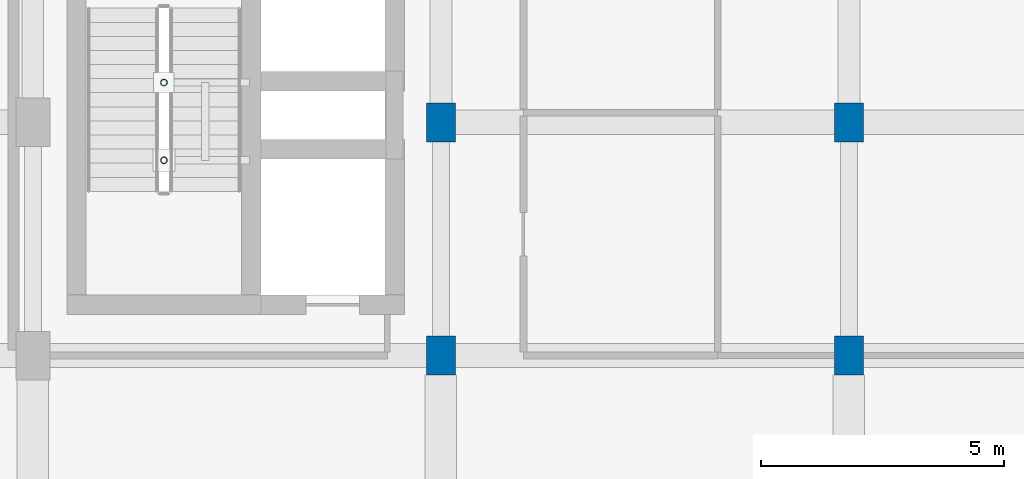
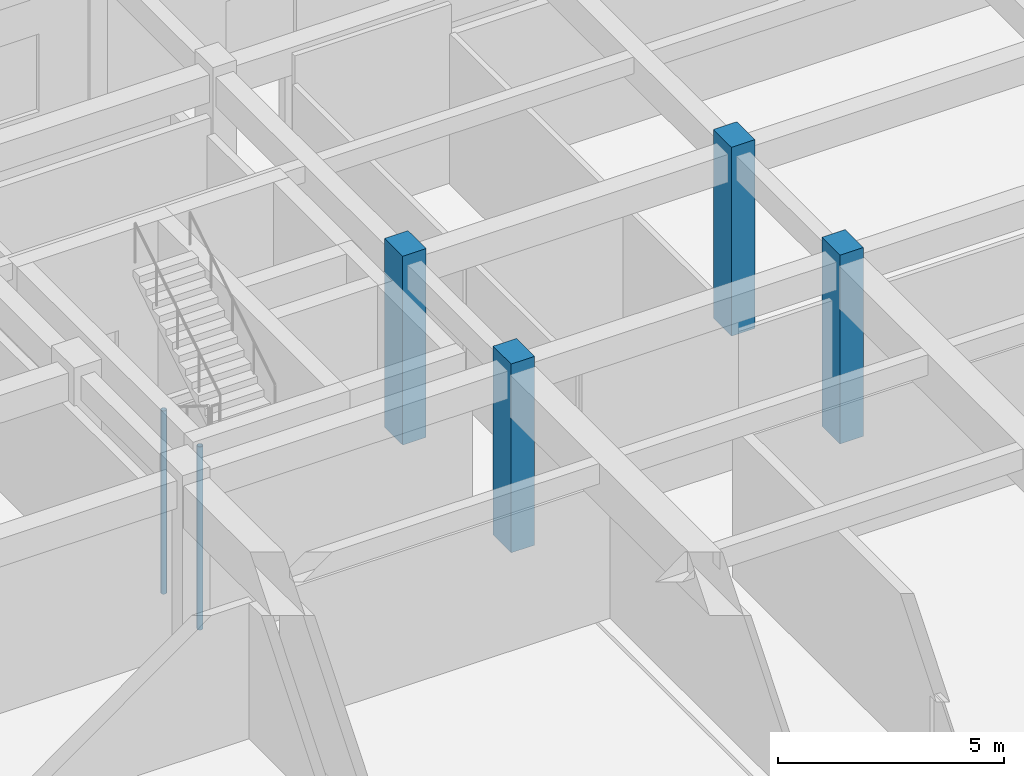
# One storey, part 9 of 80: 6 columns.
"""IFC4 building model written with IfcOpenShell, lengths in metres."""

from ifc_helpers import new_model, si_unit, direction, frame, origin, origin_2d, place, context, subcontext, project, spatial, rectangle, hollow_circle, extrude, material, material_profile, profile_set, type_object, element, save


model = new_model("IFC4")

# Units and contexts
model_context = context("Model", 3, precision=1e-05, world=origin(), true_north=direction((0.0, 1.0)))
body_context = subcontext(model_context, "Body", "Model", "MODEL_VIEW")
ifc_project = project(units=[si_unit("LENGTHUNIT", "METRE"), si_unit("AREAUNIT", "SQUARE_METRE"), si_unit("VOLUMEUNIT", "CUBIC_METRE"), si_unit("PLANEANGLEUNIT", "RADIAN"), si_unit("MASSUNIT", "GRAM", prefix="KILO")], contexts=[model_context])

# Site, building, storey
site_placement = place(None, origin())
site = spatial("IfcSite", under=ifc_project, at=site_placement, CompositionType="ELEMENT")
building_placement = place(site_placement, origin())
building = spatial("IfcBuilding", under=site, at=building_placement, Name="Krzemoval Escarpment Law Courts", CompositionType="ELEMENT")
storey_placement = place(building_placement, origin())
storey = spatial("IfcBuildingStorey", under=building, at=storey_placement, Name="L00", CompositionType="ELEMENT", Elevation=0.0)

# Columns
ifc_material_1 = material(Name="Concrete C40/50", Category="concrete")
ifc_material_profile_1 = material_profile(ifc_material_1, rectangle(XDim=0.60009765625, YDim=0.800048828125, at=origin_2d()), Name="RC 600x800")
ifc_profile_set_1 = profile_set([ifc_material_profile_1], Name="Concrete C40/50")
column_type_1 = type_object("IfcColumnType", Name="COL-RC-600x800", PredefinedType="COLUMN", material=ifc_profile_set_1)
for number, where, z_axis, x_axis, name in (
    (1, (117.60009765625, 22.199951171875, 0.0), (0.0, 0.0, 1.0), (1.0, 0.0, 0.0), "Column FC-L00-0433"),
    (2, (117.60009765625, 27.0, 0.0), (0.0, 0.0, 1.0), (1.0, 0.0, 0.0), "Column FC-L00-0434"),
    (3, (126.0, 22.199951171875, 0.0), (0.0, 0.0, 1.0), (1.0, 0.0, 0.0), "Column FC-L00-0442"),
    (4, (126.0, 27.0, 0.0), (0.0, 0.0, 1.0), (1.0, 0.0, 0.0), "Column FC-L00-0443"),
):
    element("IfcColumn", number, at=place(storey_placement, frame(where, z_axis=z_axis, x_axis=x_axis)), inside=storey, type_object=column_type_1, Name=name, PredefinedType="COLUMN", context=body_context, shape_type="SweptSolid", body=[
        extrude(rectangle(XDim=0.60009765625, YDim=0.800048828125, at=origin_2d()), origin(), (0.0, 0.0, 1.0), 5.10009765625),
    ])
ifc_material_2 = material(Name="Steel S355", Category="steel")
ifc_material_profile_2 = material_profile(ifc_material_2, hollow_circle(Radius=0.06982421875, WallThickness=0.008056640625, at=origin_2d()), Name="CHS 139.7x8")
ifc_profile_set_2 = profile_set([ifc_material_profile_2], Name="Steel S355")
column_type_2 = type_object("IfcColumnType", Name="COL-S355-CHS140", PredefinedType="COLUMN", material=ifc_profile_set_2)
for number, where, z_axis, x_axis, name in (
    (5, (111.89990234375, 26.219970703125, -2.830078125), (0.0, 0.0, 1.0), (1.0, 0.0, 0.0), "Stair Well Post SCP-C6-L00-1"),
    (6, (111.89990234375, 27.820068359375, -2.830078125), (0.0, 0.0, 1.0), (1.0, 0.0, 0.0), "Stair Well Post SCP-C6-L00-2"),
):
    element("IfcColumn", number, at=place(storey_placement, frame(where, z_axis=z_axis, x_axis=x_axis)), inside=storey, type_object=column_type_2, Name=name, PredefinedType="COLUMN", context=body_context, shape_type="SweptSolid", body=[
        extrude(hollow_circle(Radius=0.06982421875, WallThickness=0.008056640625, at=origin_2d()), origin(), (0.0, 0.0, 1.0), 4.9501953125),
    ])

save(model, "model.ifc")
